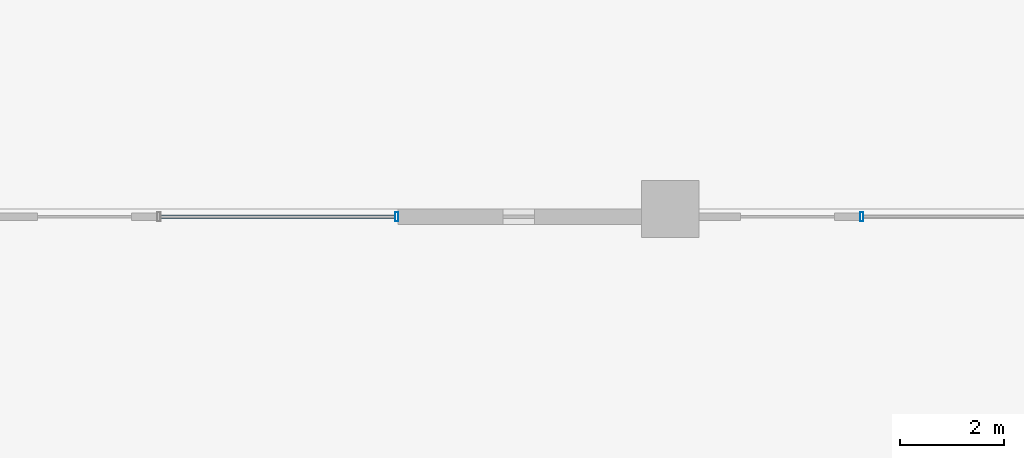
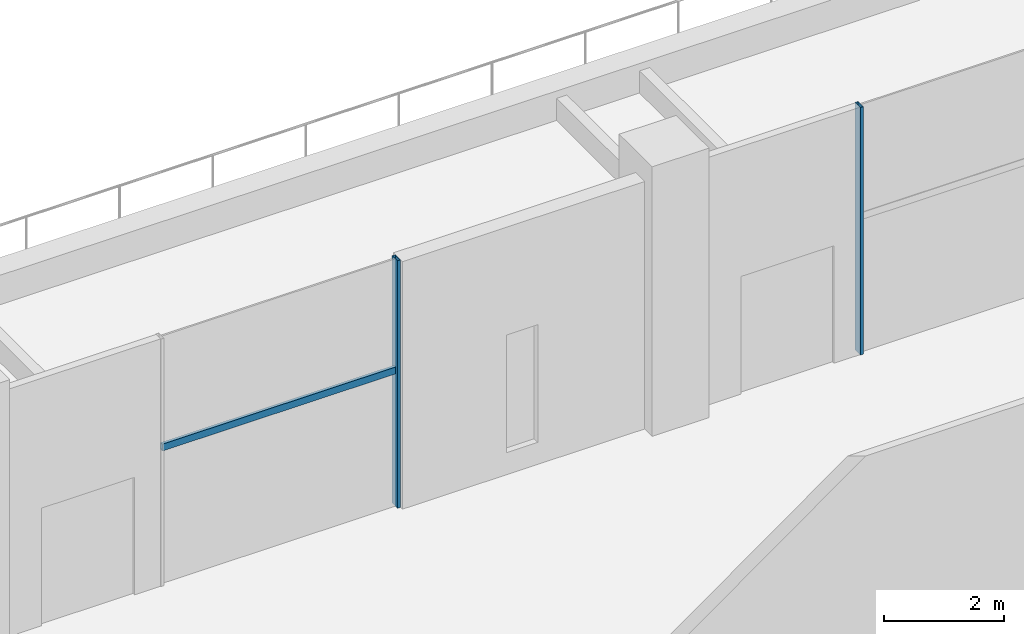
# One storey, part 12 of 47: 3 members, 2 elements without a shape of their own.
"""IFC4 building model written with IfcOpenShell, lengths in metres."""

from ifc_helpers import new_model, si_unit, direction, frame, origin, origin_2d, place, context, subcontext, project, spatial, hollow_rectangle, extrude, material, material_profile, profile_set, type_object, element, aggregate, save


model = new_model("IFC4")

# Units and contexts
model_context = context("Model", 3, precision=1e-05, world=origin(), true_north=direction((0.0, 1.0)))
body_context = subcontext(model_context, "Body", "Model", "MODEL_VIEW")
ifc_project = project(units=[si_unit("LENGTHUNIT", "METRE"), si_unit("AREAUNIT", "SQUARE_METRE"), si_unit("VOLUMEUNIT", "CUBIC_METRE"), si_unit("PLANEANGLEUNIT", "RADIAN"), si_unit("MASSUNIT", "GRAM", prefix="KILO")], contexts=[model_context])

# Site, building, storey
site_placement = place(None, origin())
site = spatial("IfcSite", under=ifc_project, at=site_placement, CompositionType="ELEMENT")
building_placement = place(site_placement, origin())
building = spatial("IfcBuilding", under=site, at=building_placement, Name="Altepetl Exchange Towers", CompositionType="ELEMENT")
storey_placement = place(building_placement, frame((0.0, 0.0, 6.0)))
storey = spatial("IfcBuildingStorey", under=building, at=storey_placement, Name="L01 Retail podium", CompositionType="ELEMENT", Elevation=6.0)

# Curtain wall, member
ifc_material_1 = material(Name="Aluminium 6063-T6 glazing", Category="aluminium")
curtain_wall_type = type_object("IfcCurtainWallType", Name="Podium storefront system", PredefinedType="NOTDEFINED", material=ifc_material_1)
curtain_wall_1_placement = place(storey_placement, origin())
curtain_wall_1 = element("IfcCurtainWall", 1, at=curtain_wall_1_placement, inside=storey, type_object=curtain_wall_type, Name="CW5 run", PredefinedType="NOTDEFINED")
ifc_material_2 = material(Name="Aluminium 6063-T6", Category="aluminium")
ifc_material_profile_1 = material_profile(ifc_material_2, hollow_rectangle(XDim=0.06005859375, YDim=0.175048828125, WallThickness=0.0029296875, at=origin_2d()), Name="Mullion 60x175 aluminium")
ifc_profile_set_1 = profile_set([ifc_material_profile_1], Name="Aluminium 6063-T6")
member_type_1 = type_object("IfcMemberType", Name="Mullion 60x175 aluminium", PredefinedType="MULLION", material=ifc_profile_set_1)
member_1_placement = place(storey_placement, frame((66.679931640625, 89.85009765625, 0.0), z_axis=(0.0, 0.0, 1.0), x_axis=(-1.0, 0.0, 0.0)))
member_1 = element("IfcMember", 2, at=member_1_placement, type_object=member_type_1, Name="MU4 mullion", PredefinedType="MULLION", context=body_context, shape_type="SweptSolid", body=[
    extrude(hollow_rectangle(XDim=0.06005859375, YDim=0.175048828125, WallThickness=0.0029296875, at=origin_2d()), origin(), (0.0, 0.0, 1.0), 5.050048828125),
])
aggregate(curtain_wall_1, [member_1])

# Curtain wall, members
curtain_wall_2_placement = place(storey_placement, origin())
curtain_wall_2 = element("IfcCurtainWall", 3, at=curtain_wall_2_placement, inside=storey, type_object=curtain_wall_type, Name="CW5 run", PredefinedType="NOTDEFINED")
member_2_placement = place(storey_placement, frame((57.7451171875, 89.85009765625, 0.0), z_axis=(0.0, 0.0, 1.0), x_axis=(-1.0, 0.0, 0.0)))
member_2 = element("IfcMember", 4, at=member_2_placement, type_object=member_type_1, Name="MU4 mullion", PredefinedType="MULLION", context=body_context, shape_type="SweptSolid", body=[
    extrude(hollow_rectangle(XDim=0.06005859375, YDim=0.175048828125, WallThickness=0.0029296875, at=origin_2d()), origin(), (0.0, 0.0, 1.0), 5.050048828125),
])
ifc_material_profile_2 = material_profile(ifc_material_2, hollow_rectangle(XDim=0.06005859375, YDim=0.139892578125, WallThickness=0.0029296875, at=origin_2d()), Name="Transom 60x140 aluminium")
ifc_profile_set_2 = profile_set([ifc_material_profile_2], Name="Aluminium 6063-T6")
member_type_2 = type_object("IfcMemberType", Name="Transom 60x140 aluminium", PredefinedType="USERDEFINED", material=ifc_profile_set_2)
member_3_placement = place(storey_placement, frame((57.715087890625, 89.85009765625, 2.780029296875), z_axis=(-1.0, 0.0, 0.0), x_axis=(0.0, -1.0, 0.0)))
member_3 = element("IfcMember", 5, at=member_3_placement, type_object=member_type_2, Name="TR3 transom", ObjectType="TRANSOM", PredefinedType="USERDEFINED", context=body_context, shape_type="SweptSolid", body=[
    extrude(hollow_rectangle(XDim=0.06005859375, YDim=0.139892578125, WallThickness=0.0029296875, at=origin_2d()), origin(), (0.0, 0.0, 1.0), 4.505126953125),
])
aggregate(curtain_wall_2, [member_2, member_3])

save(model, "model.ifc")
